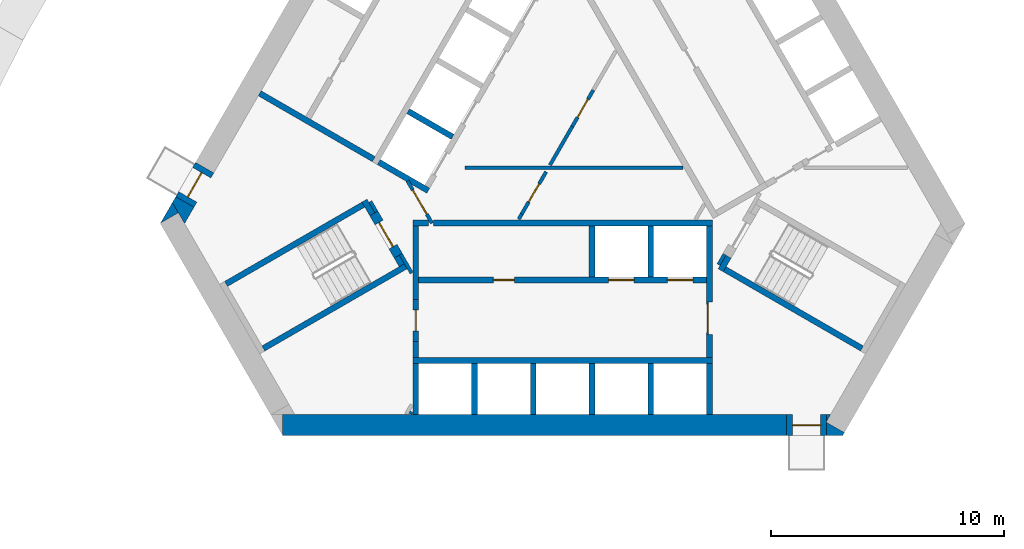
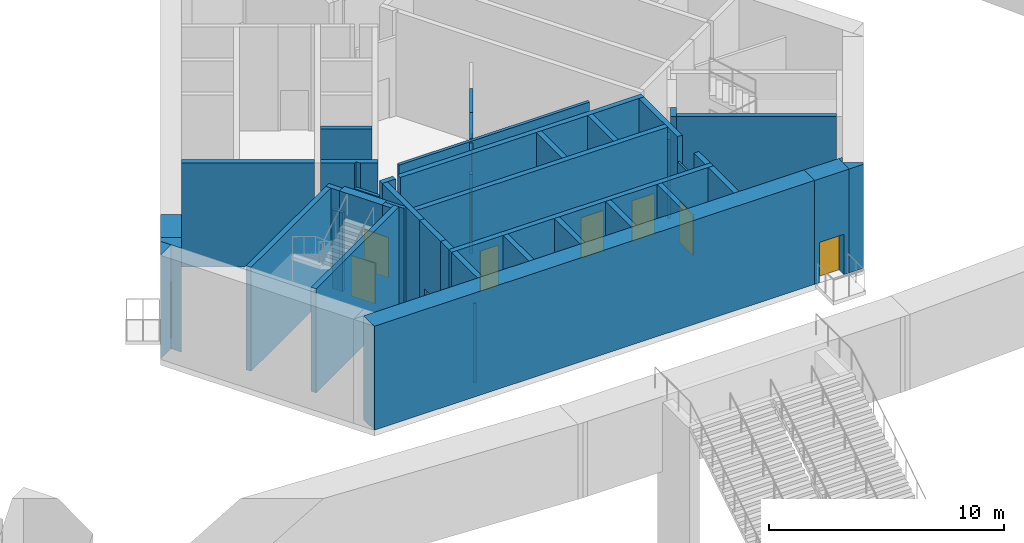
# One storey, part 16 of 37: 45 walls, 11 doors, 11 openings.
"""IFC4 building model written with IfcOpenShell, lengths in metres."""

from ifc_helpers import new_model, si_unit, direction, frame, frame_2d, origin, place, context, subcontext, project, spatial, polyline, rectangle, outline, extrude, material, layer, layer_set, type_object, element, fill, save


model = new_model("IFC4")

# Units and contexts
model_context = context("Model", 3, precision=1e-05, world=origin(), true_north=direction((0.0, 1.0)))
body_context = subcontext(model_context, "Body", "Model", "MODEL_VIEW")
ifc_project = project(units=[si_unit("LENGTHUNIT", "METRE"), si_unit("AREAUNIT", "SQUARE_METRE"), si_unit("VOLUMEUNIT", "CUBIC_METRE"), si_unit("PLANEANGLEUNIT", "RADIAN"), si_unit("MASSUNIT", "GRAM", prefix="KILO")], contexts=[model_context])

# Site, building, storey
site_placement = place(None, origin())
site = spatial("IfcSite", under=ifc_project, at=site_placement, CompositionType="ELEMENT")
building_placement = place(site_placement, origin())
building = spatial("IfcBuilding", under=site, at=building_placement, Name="Mestral Congress Tower", CompositionType="ELEMENT")
storey_placement = place(building_placement, frame((0.0, 0.0, 16.199951171875)))
storey = spatial("IfcBuildingStorey", under=building, at=storey_placement, Name="L03", CompositionType="ELEMENT", Elevation=16.199951171875)

# Walls
ifc_material_1 = material(Name="Fire-rated board partition")
ifc_layer_1 = layer(ifc_material_1, 0.14990234375)
ifc_layer_set_1 = layer_set([ifc_layer_1], Name="Fire-rated board partition")
wall_type_1 = type_object("IfcWallType", Name="Core partition 150", PredefinedType="PARTITIONING", material=ifc_layer_set_1)
wall_1_placement = place(storey_placement, frame((-6.534423828125, -12.068115234375, 0.0), z_axis=(0.0, 0.0, 1.0), x_axis=(0.500240224089, 0.865886665912, 0.0)))
element("IfcWall", 1, at=wall_1_placement, inside=storey, type_object=wall_type_1, Name="L03 core wall", PredefinedType="PARTITIONING", context=body_context, shape_type="SweptSolid", body=[
    extrude(rectangle(XDim=0.10888671875, YDim=0.14990234375, at=frame_2d((0.054443359375, 0.0))), origin(), (0.0, 0.0, 1.0), 4.10009765625),
])
wall_2_placement = place(storey_placement, frame((-1.886962890625, -3.71826171875, 0.0), z_axis=(0.0, 0.0, 1.0), x_axis=(0.500165633897, 0.865929753888, 0.0)))
element("IfcWall", 2, at=wall_2_placement, inside=storey, type_object=wall_type_1, Name="L03 core wall", PredefinedType="PARTITIONING", context=body_context, shape_type="SweptSolid", body=[
    extrude(rectangle(XDim=0.25439453125, YDim=0.14990234375, at=frame_2d((0.127197265625, 0.0))), origin(), (0.0, 0.0, 1.0), 4.10009765625),
])
for number, where, z_axis, x_axis, name in (
    (3, (-8.251953125, -2.958251953125, 0.0), (0.0, 0.0, 1.0), (0.500174715838, -0.865924508047, 0.0), "L03 core wall"),
    (4, (6.94482421875, -5.22216796875, 0.0), (0.0, 0.0, 1.0), (-0.499818422106, -0.866130212453, 0.0), "L03 core wall"),
):
    element("IfcWall", number, at=place(storey_placement, frame(where, z_axis=z_axis, x_axis=x_axis)), inside=storey, type_object=wall_type_1, Name=name, PredefinedType="PARTITIONING", context=body_context, shape_type="SweptSolid", body=[
        extrude(rectangle(XDim=0.513916015625, YDim=0.14990234375, at=frame_2d((0.2568359375, 0.0))), origin(), (0.0, 0.0, 1.0), 4.10009765625),
    ])
wall_3_placement = place(storey_placement, frame((-4.199951171875, -1.5, 0.0), z_axis=(0.0, 0.0, 1.0), x_axis=(1.0, 0.0, 0.0)))
element("IfcWall", 5, at=wall_3_placement, inside=storey, type_object=wall_type_1, Name="L03 core wall", PredefinedType="PARTITIONING", context=body_context, shape_type="SweptSolid", body=[
    extrude(rectangle(XDim=9.359375, YDim=0.14990234375, at=frame_2d((4.6796875, 0.0))), origin(), (0.0, 0.0, 1.0), 4.10009765625),
])
wall_4_placement = place(storey_placement, frame((-0.54443359375, -1.393310546875, 0.0), z_axis=(0.0, 0.0, 1.0), x_axis=(0.499928740635, 0.866066541489, 0.0)))
element("IfcWall", 6, at=wall_4_placement, inside=storey, type_object=wall_type_1, Name="L03 core wall", PredefinedType="PARTITIONING", context=body_context, shape_type="SweptSolid", body=[
    extrude(rectangle(XDim=1.912353515625, YDim=0.14990234375, at=frame_2d((0.9560546875, 0.0))), origin(), (0.0, 0.0, 1.0), 4.10009765625),
])

# Wall, opening, door
wall_5_placement = place(storey_placement, frame((-1.759765625, -3.498046875, 0.0), z_axis=(0.0, 0.0, 1.0), x_axis=(0.499977374825, 0.866038466041, 0.0)))
wall_5 = element("IfcWall", 7, at=wall_5_placement, inside=storey, type_object=wall_type_1, Name="L03 door wall", PredefinedType="PARTITIONING", context=body_context, shape_type="SweptSolid", body=[
    extrude(rectangle(XDim=2.10009765625, YDim=0.14990234375, at=frame_2d((1.050048828125, 0.0))), origin(), (0.0, 0.0, 1.0), 4.10009765625),
])
opening_1_placement = place(wall_5_placement, frame((0.60009765625, 0.0, 0.0)))
opening_1 = element("IfcOpeningElement", 8, at=opening_1_placement, cuts=wall_5, Name="Opening CD1-HUB0", PredefinedType="OPENING", context=body_context, shape_type="SweptSolid", body=[
    extrude(rectangle(XDim=0.89990234375, YDim=2.10009765625, at=frame_2d((0.449951171875, 1.050048828125))), frame((0.0, 0.0849609375, 0.0), z_axis=(0.0, -1.0, 0.0), x_axis=(1.0, 0.0, 0.0)), (0.0, 0.0, 1.0), 0.169921875),
])
ifc_material_2 = material(Name="Fire-rated steel door set", Category="steel")
door_type_1 = type_object("IfcDoorType", Name="Core door CD 900x2100", OperationType="SINGLE_SWING_LEFT", PredefinedType="DOOR", material=ifc_material_2)
door_1_placement = place(opening_1_placement, origin())
door_1 = element("IfcDoor", 9, at=door_1_placement, inside=storey, type_object=door_type_1, Name="Door CD1-HUB0", OperationType="SINGLE_SWING_LEFT", OverallHeight=2.10009765625, OverallWidth=0.89990234375, PredefinedType="DOOR", context=body_context, shape_type="SweptSolid", body=[
    extrude(rectangle(XDim=0.89990234375, YDim=2.10009765625, at=frame_2d((0.449951171875, 1.050048828125))), frame((0.0, 0.02490234375, 0.0), z_axis=(0.0, -1.0, 0.0), x_axis=(1.0, 0.0, 0.0)), (0.0, 0.0, 1.0), 0.050048828125),
])
fill(opening_1, door_1)

wall_6_placement = place(storey_placement, frame((-5.606201171875, -3.8896484375, 0.0), z_axis=(0.0, 0.0, 1.0), x_axis=(-0.500027713859, 0.866009402589, 0.0)))
wall_6 = element("IfcWall", 10, at=wall_6_placement, inside=storey, type_object=wall_type_1, Name="L03 door wall", PredefinedType="PARTITIONING", context=body_context, shape_type="SweptSolid", body=[
    extrude(rectangle(XDim=2.10009765625, YDim=0.14990234375, at=frame_2d((1.050048828125, 0.0))), origin(), (0.0, 0.0, 1.0), 4.10009765625),
])
opening_2_placement = place(wall_6_placement, frame((0.449951171875, 0.0, 0.0)))
opening_2 = element("IfcOpeningElement", 11, at=opening_2_placement, cuts=wall_6, Name="Opening CD3-FF", PredefinedType="OPENING", context=body_context, shape_type="SweptSolid", body=[
    extrude(rectangle(XDim=1.199951171875, YDim=2.10009765625, at=frame_2d((0.60009765625, 1.050048828125))), frame((0.0, 0.0849609375, 0.0), z_axis=(0.0, -1.0, 0.0), x_axis=(1.0, 0.0, 0.0)), (0.0, 0.0, 1.0), 0.169921875),
])
door_type_2 = type_object("IfcDoorType", Name="Core door CD 1200x2100", OperationType="SINGLE_SWING_LEFT", PredefinedType="DOOR", material=ifc_material_2)
door_2_placement = place(opening_2_placement, origin())
door_2 = element("IfcDoor", 12, at=door_2_placement, inside=storey, type_object=door_type_2, Name="Door CD3-FF", OperationType="SINGLE_SWING_LEFT", OverallHeight=2.10009765625, OverallWidth=1.199951171875, PredefinedType="DOOR", context=body_context, shape_type="SweptSolid", body=[
    extrude(rectangle(XDim=1.199951171875, YDim=2.10009765625, at=frame_2d((0.60009765625, 1.050048828125))), frame((0.0, 0.02490234375, 0.0), z_axis=(0.0, -1.0, 0.0), x_axis=(1.0, 0.0, 0.0)), (0.0, 0.0, 1.0), 0.050048828125),
])
fill(opening_2, door_2)

wall_7_placement = place(storey_placement, frame((0.41162109375, 0.26318359375, 0.0), z_axis=(0.0, 0.0, 1.0), x_axis=(0.500062916607, 0.865989075817, 0.0)))
wall_7 = element("IfcWall", 13, at=wall_7_placement, inside=storey, type_object=wall_type_1, Name="L03 door wall", PredefinedType="PARTITIONING", context=body_context, shape_type="SweptSolid", body=[
    extrude(rectangle(XDim=1.800048828125, YDim=0.14990234375, at=frame_2d((0.89990234375, 0.0))), origin(), (0.0, 0.0, 1.0), 4.10009765625),
])
opening_3_placement = place(wall_7_placement, frame((0.449951171875, 0.0, 0.0)))
opening_3 = element("IfcOpeningElement", 14, at=opening_3_placement, cuts=wall_7, Name="Opening SD-HUB1", PredefinedType="OPENING", context=body_context, shape_type="SweptSolid", body=[
    extrude(rectangle(XDim=0.89990234375, YDim=2.10009765625, at=frame_2d((0.449951171875, 1.050048828125))), frame((0.0, 0.0849609375, 0.0), z_axis=(0.0, -1.0, 0.0), x_axis=(1.0, 0.0, 0.0)), (0.0, 0.0, 1.0), 0.169921875),
])
door_type_3 = type_object("IfcDoorType", Name="Core door SR 900x2100", OperationType="SINGLE_SWING_LEFT", PredefinedType="DOOR", material=ifc_material_2)
door_3_placement = place(opening_3_placement, origin())
door_3 = element("IfcDoor", 15, at=door_3_placement, inside=storey, type_object=door_type_3, Name="Door SD-HUB1", OperationType="SINGLE_SWING_LEFT", OverallHeight=2.10009765625, OverallWidth=0.89990234375, PredefinedType="DOOR", context=body_context, shape_type="SweptSolid", body=[
    extrude(rectangle(XDim=0.89990234375, YDim=2.10009765625, at=frame_2d((0.449951171875, 1.050048828125))), frame((0.0, 0.02490234375, 0.0), z_axis=(0.0, -1.0, 0.0), x_axis=(1.0, 0.0, 0.0)), (0.0, 0.0, 1.0), 0.050048828125),
])
fill(opening_3, door_3)

ifc_layer_2 = layer(ifc_material_1, 0.090087890625)
ifc_layer_set_2 = layer_set([ifc_layer_2], Name="Fire-rated board partition")
wall_type_2 = type_object("IfcWallType", Name="Core partition 150 door-wall 90", PredefinedType="PARTITIONING", material=ifc_layer_set_2)
wall_8_placement = place(storey_placement, frame((6.219970703125, -7.266357421875, 0.0), z_axis=(0.0, 0.0, 1.0), x_axis=(0.0, -1.0, 0.0)))
wall_8 = element("IfcWall", 16, at=wall_8_placement, inside=storey, type_object=wall_type_2, Name="L03 door wall", PredefinedType="PARTITIONING", context=body_context, shape_type="SweptSolid", body=[
    extrude(rectangle(XDim=1.400146484375, YDim=0.090087890625, at=frame_2d((0.7001953125, 0.0))), origin(), (0.0, 0.0, 1.0), 4.10009765625),
])
opening_4_placement = place(wall_8_placement, frame((0.10009765625, 0.0, 0.0)))
opening_4 = element("IfcOpeningElement", 17, at=opening_4_placement, cuts=wall_8, Name="Opening LB0-WL1", PredefinedType="OPENING", context=body_context, shape_type="SweptSolid", body=[
    extrude(rectangle(XDim=1.199951171875, YDim=2.10009765625, at=frame_2d((0.60009765625, 1.050048828125))), frame((0.0, 0.054931640625, 0.0), z_axis=(0.0, -1.0, 0.0), x_axis=(1.0, 0.0, 0.0)), (0.0, 0.0, 1.0), 0.110107421875),
])
door_type_4 = type_object("IfcDoorType", Name="Core door LB 1200x2100", OperationType="SINGLE_SWING_LEFT", PredefinedType="DOOR", material=ifc_material_2)
door_4_placement = place(opening_4_placement, origin())
door_4 = element("IfcDoor", 18, at=door_4_placement, inside=storey, type_object=door_type_4, Name="Door LB0-WL1", OperationType="SINGLE_SWING_LEFT", OverallHeight=2.10009765625, OverallWidth=1.199951171875, PredefinedType="DOOR", context=body_context, shape_type="SweptSolid", body=[
    extrude(rectangle(XDim=1.199951171875, YDim=2.10009765625, at=frame_2d((0.60009765625, 1.050048828125))), frame((0.0, 0.02490234375, 0.0), z_axis=(0.0, -1.0, 0.0), x_axis=(1.0, 0.0, 0.0)), (0.0, 0.0, 1.0), 0.050048828125),
])
fill(opening_4, door_4)

# Walls
ifc_material_3 = material(Name="Concrete C60/75", Category="concrete")
ifc_layer_3 = layer(ifc_material_3, 0.89990234375)
ifc_layer_set_3 = layer_set([ifc_layer_3], Name="Concrete C60/75")
wall_type_3 = type_object("IfcWallType", Name="Core wall RC 900", PredefinedType="SOLIDWALL", material=ifc_layer_set_3)
placement = place(storey_placement, origin())
element("IfcWall", 19, at=placement, inside=storey, type_object=wall_type_3, Name="L03 core wall", PredefinedType="SOLIDWALL", context=body_context, shape_type="SweptSolid", body=[
    extrude(outline(polyline([(12.0087890625, -13.0), (11.31201171875, -13.0), (11.31201171875, -12.425048828125), (12.08349609375, -12.87060546875), (12.0087890625, -13.0)])), origin(), (0.0, 0.0, 1.0), 5.400146484375),
])
element("IfcWall", 20, at=placement, inside=storey, type_object=wall_type_3, Name="L03 core wall", PredefinedType="SOLIDWALL", context=body_context, shape_type="SweptSolid", body=[
    extrude(outline(polyline([(11.4892578125, -12.10009765625), (11.31201171875, -12.4072265625), (11.31201171875, -12.10009765625), (11.4892578125, -12.10009765625)])), origin(), (0.0, 0.0, 1.0), 5.400146484375),
])
wall_11_placement = place(storey_placement, frame((-12.0185546875, -12.550048828125, 0.0), z_axis=(0.0, 0.0, 1.0), x_axis=(1.0, 0.0, 0.0)))
element("IfcWall", 21, at=wall_11_placement, inside=storey, type_object=wall_type_3, Name="L03 core wall", PredefinedType="SOLIDWALL", context=body_context, shape_type="SweptSolid", body=[
    extrude(rectangle(XDim=21.63037109375, YDim=0.89990234375, at=frame_2d((10.815185546875, 0.0))), origin(), (0.0, 0.0, 1.0), 5.400146484375),
])
element("IfcWall", 22, at=placement, inside=storey, type_object=wall_type_3, Name="L03 core wall", PredefinedType="SOLIDWALL", context=body_context, shape_type="SweptSolid", body=[
    extrude(outline(polyline([(-16.4892578125, -3.43994140625), (-17.251220703125, -3.8798828125), (-16.7431640625, -3.0), (-16.4892578125, -3.43994140625)])), origin(), (0.0, 0.0, 1.0), 5.400146484375),
])
element("IfcWall", 23, at=placement, inside=storey, type_object=wall_type_3, Name="L03 core wall", PredefinedType="SOLIDWALL", context=body_context, shape_type="SweptSolid", body=[
    extrude(outline(polyline([(-15.81982421875, -3.20068359375), (-16.223388671875, -3.89990234375), (-16.7431640625, -3.0), (-16.599365234375, -2.750732421875), (-15.81982421875, -3.20068359375)])), origin(), (0.0, 0.0, 1.0), 5.400146484375),
])

# Wall, opening, door
wall_14_placement = place(storey_placement, frame((11.311767578125, -12.550048828125, 0.0), z_axis=(0.0, 0.0, 1.0), x_axis=(-1.0, 0.0, 0.0)))
wall_14 = element("IfcWall", 24, at=wall_14_placement, inside=storey, type_object=wall_type_3, Name="L03 door wall", PredefinedType="SOLIDWALL", context=body_context, shape_type="SweptSolid", body=[
    extrude(rectangle(XDim=1.699951171875, YDim=0.89990234375, at=frame_2d((0.85009765625, 0.0))), origin(), (0.0, 0.0, 1.0), 5.400146484375),
])
opening_5_placement = place(wall_14_placement, frame((0.25, 0.0, 0.0)))
opening_5 = element("IfcOpeningElement", 25, at=opening_5_placement, cuts=wall_14, Name="Opening XD1", PredefinedType="OPENING", context=body_context, shape_type="SweptSolid", body=[
    extrude(rectangle(XDim=1.199951171875, YDim=2.10009765625, at=frame_2d((0.60009765625, 1.050048828125))), frame((0.0, 0.4599609375, 0.0), z_axis=(0.0, -1.0, 0.0), x_axis=(1.0, 0.0, 0.0)), (0.0, 0.0, 1.0), 0.919921875),
])
door_type_5 = type_object("IfcDoorType", Name="Core door XD 1200x2100", OperationType="SINGLE_SWING_LEFT", PredefinedType="DOOR", material=ifc_material_2)
door_5_placement = place(opening_5_placement, origin())
door_5 = element("IfcDoor", 26, at=door_5_placement, inside=storey, type_object=door_type_5, Name="Door XD1", OperationType="SINGLE_SWING_LEFT", OverallHeight=2.10009765625, OverallWidth=1.199951171875, PredefinedType="DOOR", context=body_context, shape_type="SweptSolid", body=[
    extrude(rectangle(XDim=1.199951171875, YDim=2.10009765625, at=frame_2d((0.60009765625, 1.050048828125))), frame((0.0, 0.02490234375, 0.0), z_axis=(0.0, -1.0, 0.0), x_axis=(1.0, 0.0, 0.0)), (0.0, 0.0, 1.0), 0.050048828125),
])
fill(opening_5, door_5)

wall_15_placement = place(storey_placement, frame((-16.20947265625, -2.9755859375, 0.0), z_axis=(0.0, 0.0, 1.0), x_axis=(0.499954529098, 0.86605165483, 0.0)))
wall_15 = element("IfcWall", 27, at=wall_15_placement, inside=storey, type_object=wall_type_3, Name="L03 door wall", PredefinedType="SOLIDWALL", context=body_context, shape_type="SweptSolid", body=[
    extrude(rectangle(XDim=1.699951171875, YDim=0.89990234375, at=frame_2d((0.85009765625, 0.0))), origin(), (0.0, 0.0, 1.0), 5.400146484375),
])
opening_6_placement = place(wall_15_placement, frame((0.25, 0.0, 0.0)))
opening_6 = element("IfcOpeningElement", 28, at=opening_6_placement, cuts=wall_15, Name="Opening XD3", PredefinedType="OPENING", context=body_context, shape_type="SweptSolid", body=[
    extrude(rectangle(XDim=1.199951171875, YDim=2.10009765625, at=frame_2d((0.60009765625, 1.050048828125))), frame((0.0, 0.4599609375, 0.0), z_axis=(0.0, -1.0, 0.0), x_axis=(1.0, 0.0, 0.0)), (0.0, 0.0, 1.0), 0.919921875),
])
door_6_placement = place(opening_6_placement, origin())
door_6 = element("IfcDoor", 29, at=door_6_placement, inside=storey, type_object=door_type_5, Name="Door XD3", OperationType="SINGLE_SWING_LEFT", OverallHeight=2.10009765625, OverallWidth=1.199951171875, PredefinedType="DOOR", context=body_context, shape_type="SweptSolid", body=[
    extrude(rectangle(XDim=1.199951171875, YDim=2.10009765625, at=frame_2d((0.60009765625, 1.050048828125))), frame((0.0, 0.02490234375, 0.0), z_axis=(0.0, -1.0, 0.0), x_axis=(1.0, 0.0, 0.0)), (0.0, 0.0, 1.0), 0.050048828125),
])
fill(opening_6, door_6)

# Walls
ifc_layer_4 = layer(ifc_material_3, 0.25)
ifc_layer_set_4 = layer_set([ifc_layer_4], Name="Concrete C60/75")
wall_type_4 = type_object("IfcWallType", Name="Shaft wall RC 250", PredefinedType="SOLIDWALL", material=ifc_layer_set_4)
wall_16_placement = place(storey_placement, frame((-6.425048828125, -9.77490234375, 0.0), z_axis=(0.0, 0.0, 1.0), x_axis=(1.0, 0.0, 0.0)))
element("IfcWall", 30, at=wall_16_placement, inside=storey, type_object=wall_type_4, Name="L03 core wall", PredefinedType="SOLIDWALL", context=body_context, shape_type="SweptSolid", body=[
    extrude(rectangle(XDim=12.85009765625, YDim=0.25, at=frame_2d((6.425048828125, 0.0))), origin(), (0.0, 0.0, 1.0), 5.400146484375),
])
wall_17_placement = place(storey_placement, frame((-6.300048828125, -9.89990234375, 0.0), z_axis=(0.0, 0.0, 1.0), x_axis=(0.0, -1.0, 0.0)))
element("IfcWall", 31, at=wall_17_placement, inside=storey, type_object=wall_type_4, Name="L03 core wall", PredefinedType="SOLIDWALL", context=body_context, shape_type="SweptSolid", body=[
    extrude(rectangle(XDim=2.2001953125, YDim=0.25, at=frame_2d((1.10009765625, 0.0))), origin(), (0.0, 0.0, 1.0), 5.400146484375),
])
wall_18_placement = place(storey_placement, frame((-6.300048828125, -9.64990234375, 0.0), z_axis=(0.0, 0.0, 1.0), x_axis=(0.0, 1.0, 0.0)))
element("IfcWall", 32, at=wall_18_placement, inside=storey, type_object=wall_type_4, Name="L03 core wall", PredefinedType="SOLIDWALL", context=body_context, shape_type="SweptSolid", body=[
    extrude(rectangle(XDim=0.6953125, YDim=0.25, at=frame_2d((0.34765625, 0.0))), origin(), (0.0, 0.0, 1.0), 5.400146484375),
])
wall_19_placement = place(storey_placement, frame((-5.544921875, -3.875, 0.0), z_axis=(0.0, 0.0, 1.0), x_axis=(1.0, 0.0, 0.0)))
element("IfcWall", 33, at=wall_19_placement, inside=storey, type_object=wall_type_4, Name="L03 core wall", PredefinedType="SOLIDWALL", context=body_context, shape_type="SweptSolid", body=[
    extrude(rectangle(XDim=11.969970703125, YDim=0.25, at=frame_2d((5.98486328125, 0.0))), origin(), (0.0, 0.0, 1.0), 5.400146484375),
])
wall_20_placement = place(storey_placement, frame((-6.425048828125, -3.875, 0.0), z_axis=(0.0, 0.0, 1.0), x_axis=(1.0, 0.0, 0.0)))
element("IfcWall", 34, at=wall_20_placement, inside=storey, type_object=wall_type_4, Name="L03 core wall", PredefinedType="SOLIDWALL", context=body_context, shape_type="SweptSolid", body=[
    extrude(rectangle(XDim=0.657958984375, YDim=0.25, at=frame_2d((0.3291015625, 0.0))), origin(), (0.0, 0.0, 1.0), 5.400146484375),
])
wall_21_placement = place(storey_placement, frame((6.300048828125, -7.27001953125, 0.0), z_axis=(0.0, 0.0, 1.0), x_axis=(0.0, 1.0, 0.0)))
element("IfcWall", 35, at=wall_21_placement, inside=storey, type_object=wall_type_4, Name="L03 core wall", PredefinedType="SOLIDWALL", context=body_context, shape_type="SweptSolid", body=[
    extrude(rectangle(XDim=3.27001953125, YDim=0.25, at=frame_2d((1.635009765625, 0.0))), origin(), (0.0, 0.0, 1.0), 5.400146484375),
])
wall_22_placement = place(storey_placement, frame((6.300048828125, -8.672119140625, 0.0), z_axis=(0.0, 0.0, 1.0), x_axis=(0.0, -1.0, 0.0)))
element("IfcWall", 36, at=wall_22_placement, inside=storey, type_object=wall_type_4, Name="L03 core wall", PredefinedType="SOLIDWALL", context=body_context, shape_type="SweptSolid", body=[
    extrude(rectangle(XDim=0.977783203125, YDim=0.25, at=frame_2d((0.48876953125, 0.0))), origin(), (0.0, 0.0, 1.0), 5.400146484375),
])
for number, where, z_axis, x_axis, name in (
    (37, (3.780029296875, -4.0, 0.0), (0.0, 0.0, 1.0), (0.0, -1.0, 0.0), "L03 core wall"),
    (38, (1.260009765625, -4.0, 0.0), (0.0, 0.0, 1.0), (0.0, -1.0, 0.0), "L03 core wall"),
):
    element("IfcWall", number, at=place(storey_placement, frame(where, z_axis=z_axis, x_axis=x_axis)), inside=storey, type_object=wall_type_4, Name=name, PredefinedType="SOLIDWALL", context=body_context, shape_type="SweptSolid", body=[
        extrude(rectangle(XDim=2.199951171875, YDim=0.25, at=frame_2d((1.10009765625, 0.0))), origin(), (0.0, 0.0, 1.0), 5.400146484375),
    ])
wall_23_placement = place(storey_placement, frame((-6.300048828125, -4.0, 0.0), z_axis=(0.0, 0.0, 1.0), x_axis=(0.0, -1.0, 0.0)))
element("IfcWall", 39, at=wall_23_placement, inside=storey, type_object=wall_type_4, Name="L03 core wall", PredefinedType="SOLIDWALL", context=body_context, shape_type="SweptSolid", body=[
    extrude(rectangle(XDim=3.154296875, YDim=0.25, at=frame_2d((1.5771484375, 0.0))), origin(), (0.0, 0.0, 1.0), 5.400146484375),
])
for number, where, z_axis, x_axis, name in (
    (40, (6.300048828125, -9.89990234375, 0.0), (0.0, 0.0, 1.0), (0.0, -1.0, 0.0), "L03 core wall"),
    (41, (3.780029296875, -9.89990234375, 0.0), (0.0, 0.0, 1.0), (0.0, -1.0, 0.0), "L03 core wall"),
    (42, (1.260009765625, -9.89990234375, 0.0), (0.0, 0.0, 1.0), (0.0, -1.0, 0.0), "L03 core wall"),
    (43, (-1.260009765625, -9.89990234375, 0.0), (0.0, 0.0, 1.0), (0.0, -1.0, 0.0), "L03 core wall"),
    (44, (-3.780029296875, -9.89990234375, 0.0), (0.0, 0.0, 1.0), (0.0, -1.0, 0.0), "L03 core wall"),
):
    element("IfcWall", number, at=place(storey_placement, frame(where, z_axis=z_axis, x_axis=x_axis)), inside=storey, type_object=wall_type_4, Name=name, PredefinedType="SOLIDWALL", context=body_context, shape_type="SweptSolid", body=[
        extrude(rectangle(XDim=2.2001953125, YDim=0.25, at=frame_2d((1.10009765625, 0.0))), origin(), (0.0, 0.0, 1.0), 5.400146484375),
    ])
wall_24_placement = place(storey_placement, frame((-4.72412109375, -0.182373046875, 0.0), z_axis=(0.0, 0.0, 1.0), x_axis=(-0.866008176907, 0.50002983664, 0.0)))
element("IfcWall", 45, at=wall_24_placement, inside=storey, type_object=wall_type_4, Name="L03 core wall", PredefinedType="SOLIDWALL", context=body_context, shape_type="SweptSolid", body=[
    extrude(rectangle(XDim=2.199951171875, YDim=0.25, at=frame_2d((1.10009765625, 0.0))), origin(), (0.0, 0.0, 1.0), 5.400146484375),
])
element("IfcWall", 46, at=placement, inside=storey, type_object=wall_type_4, Name="L03 core wall", PredefinedType="SOLIDWALL", context=body_context, shape_type="SweptSolid", body=[
    extrude(outline(polyline([(-5.921630859375, -2.256591796875), (-5.921630859375, -2.256591796875), (-5.705078125, -2.381591796875), (-5.830078125, -2.597900390625), (-6.48291015625, -2.22119140625), (-6.59130859375, -2.033447265625), (-6.59130859375, -2.033447265625), (-6.69970703125, -2.095947265625), (-7.951904296875, -1.373046875), (-7.826904296875, -1.156494140625), (-5.921630859375, -2.256591796875)])), origin(), (0.0, 0.0, 1.0), 5.400146484375),
])
wall_26_placement = place(storey_placement, frame((-8.10595703125, -1.139892578125, 0.0), z_axis=(0.0, 0.0, 1.0), x_axis=(-0.866000643155, 0.500042884217, 0.0)))
element("IfcWall", 47, at=wall_26_placement, inside=storey, type_object=wall_type_4, Name="L03 core wall", PredefinedType="SOLIDWALL", context=body_context, shape_type="SweptSolid", body=[
    extrude(rectangle(XDim=5.64990234375, YDim=0.25, at=frame_2d((2.824951171875, 0.0))), origin(), (0.0, 0.0, 1.0), 5.400146484375),
])

# Wall, openings, doors
wall_27_placement = place(storey_placement, frame((-6.175048828125, -6.324951171875, 0.0), z_axis=(0.0, 0.0, 1.0), x_axis=(1.0, 0.0, 0.0)))
wall_27 = element("IfcWall", 48, at=wall_27_placement, inside=storey, type_object=wall_type_4, Name="L03 door wall", PredefinedType="SOLIDWALL", context=body_context, shape_type="SweptSolid", body=[
    extrude(rectangle(XDim=12.35009765625, YDim=0.25, at=frame_2d((6.175048828125, 0.0))), origin(), (0.0, 0.0, 1.0), 5.400146484375),
])
opening_7_placement = place(wall_27_placement, frame((3.205078125, 0.0, 0.0)))
opening_7 = element("IfcOpeningElement", 49, at=opening_7_placement, cuts=wall_27, Name="Opening SR-SOB1", PredefinedType="OPENING", context=body_context, shape_type="SweptSolid", body=[
    extrude(rectangle(XDim=0.89990234375, YDim=2.10009765625, at=frame_2d((0.449951171875, 1.050048828125))), frame((0.0, 0.135009765625, 0.0), z_axis=(0.0, -1.0, 0.0), x_axis=(1.0, 0.0, 0.0)), (0.0, 0.0, 1.0), 0.27001953125),
])
opening_8_placement = place(wall_27_placement, frame((8.14501953125, 0.0, 0.0)))
opening_8 = element("IfcOpeningElement", 50, at=opening_8_placement, cuts=wall_27, Name="Opening LD-SOB4", PredefinedType="OPENING", context=body_context, shape_type="SweptSolid", body=[
    extrude(rectangle(XDim=1.10009765625, YDim=2.10009765625, at=frame_2d((0.550048828125, 1.050048828125))), frame((0.0, 0.135009765625, 0.0), z_axis=(0.0, -1.0, 0.0), x_axis=(1.0, 0.0, 0.0)), (0.0, 0.0, 1.0), 0.27001953125),
])
opening_9_placement = place(wall_27_placement, frame((10.6650390625, 0.0, 0.0)))
opening_9 = element("IfcOpeningElement", 51, at=opening_9_placement, cuts=wall_27, Name="Opening LD-SOB5", PredefinedType="OPENING", context=body_context, shape_type="SweptSolid", body=[
    extrude(rectangle(XDim=1.10009765625, YDim=2.10009765625, at=frame_2d((0.550048828125, 1.050048828125))), frame((0.0, 0.135009765625, 0.0), z_axis=(0.0, -1.0, 0.0), x_axis=(1.0, 0.0, 0.0)), (0.0, 0.0, 1.0), 0.27001953125),
])
door_type_6 = type_object("IfcDoorType", Name="Core door LD 1100x2100", OperationType="DOUBLE_DOOR_SLIDING", PredefinedType="DOOR", material=ifc_material_2)
door_7_placement = place(opening_8_placement, origin())
door_7 = element("IfcDoor", 52, at=door_7_placement, inside=storey, type_object=door_type_6, Name="Door LD-SOB4", OperationType="DOUBLE_DOOR_SLIDING", OverallHeight=2.10009765625, OverallWidth=1.10009765625, PredefinedType="DOOR", context=body_context, shape_type="SweptSolid", body=[
    extrude(rectangle(XDim=1.10009765625, YDim=2.10009765625, at=frame_2d((0.550048828125, 1.050048828125))), frame((0.0, 0.02490234375, 0.0), z_axis=(0.0, -1.0, 0.0), x_axis=(1.0, 0.0, 0.0)), (0.0, 0.0, 1.0), 0.050048828125),
])
fill(opening_8, door_7)
door_8_placement = place(opening_9_placement, origin())
door_8 = element("IfcDoor", 53, at=door_8_placement, inside=storey, type_object=door_type_6, Name="Door LD-SOB5", OperationType="DOUBLE_DOOR_SLIDING", OverallHeight=2.10009765625, OverallWidth=1.10009765625, PredefinedType="DOOR", context=body_context, shape_type="SweptSolid", body=[
    extrude(rectangle(XDim=1.10009765625, YDim=2.10009765625, at=frame_2d((0.550048828125, 1.050048828125))), frame((0.0, 0.02490234375, 0.0), z_axis=(0.0, -1.0, 0.0), x_axis=(1.0, 0.0, 0.0)), (0.0, 0.0, 1.0), 0.050048828125),
])
fill(opening_9, door_8)
door_9_placement = place(opening_7_placement, origin())
door_9 = element("IfcDoor", 54, at=door_9_placement, inside=storey, type_object=door_type_3, Name="Door SR-SOB1", OperationType="SINGLE_SWING_LEFT", OverallHeight=2.10009765625, OverallWidth=0.89990234375, PredefinedType="DOOR", context=body_context, shape_type="SweptSolid", body=[
    extrude(rectangle(XDim=0.89990234375, YDim=2.10009765625, at=frame_2d((0.449951171875, 1.050048828125))), frame((0.0, 0.02490234375, 0.0), z_axis=(0.0, -1.0, 0.0), x_axis=(1.0, 0.0, 0.0)), (0.0, 0.0, 1.0), 0.050048828125),
])
fill(opening_7, door_9)

# Wall, opening, door
wall_28_placement = place(storey_placement, frame((-6.300048828125, -7.154296875, 0.0), z_axis=(0.0, 0.0, 1.0), x_axis=(0.0, -1.0, 0.0)))
wall_28 = element("IfcWall", 55, at=wall_28_placement, inside=storey, type_object=wall_type_4, Name="L03 door wall", PredefinedType="SOLIDWALL", context=body_context, shape_type="SweptSolid", body=[
    extrude(rectangle(XDim=1.800048828125, YDim=0.25, at=frame_2d((0.89990234375, 0.0))), origin(), (0.0, 0.0, 1.0), 5.400146484375),
])
opening_10_placement = place(wall_28_placement, frame((0.449951171875, 0.0, 0.0)))
opening_10 = element("IfcOpeningElement", 56, at=opening_10_placement, cuts=wall_28, Name="Opening TD3", PredefinedType="OPENING", context=body_context, shape_type="SweptSolid", body=[
    extrude(rectangle(XDim=0.89990234375, YDim=2.10009765625, at=frame_2d((0.449951171875, 1.050048828125))), frame((0.0, 0.135009765625, 0.0), z_axis=(0.0, -1.0, 0.0), x_axis=(1.0, 0.0, 0.0)), (0.0, 0.0, 1.0), 0.27001953125),
])
door_10_placement = place(opening_10_placement, origin())
door_10 = element("IfcDoor", 57, at=door_10_placement, inside=storey, type_object=door_type_3, Name="Door TD3", OperationType="SINGLE_SWING_LEFT", OverallHeight=2.10009765625, OverallWidth=0.89990234375, PredefinedType="DOOR", context=body_context, shape_type="SweptSolid", body=[
    extrude(rectangle(XDim=0.89990234375, YDim=2.10009765625, at=frame_2d((0.449951171875, 1.050048828125))), frame((0.0, 0.02490234375, 0.0), z_axis=(0.0, -1.0, 0.0), x_axis=(1.0, 0.0, 0.0)), (0.0, 0.0, 1.0), 0.050048828125),
])
fill(opening_10, door_10)

# Walls
ifc_layer_5 = layer(ifc_material_3, 0.14990234375)
ifc_layer_set_5 = layer_set([ifc_layer_5], Name="Concrete C60/75")
wall_type_5 = type_object("IfcWallType", Name="Shaft wall RC 250 door-wall 150", PredefinedType="SOLIDWALL", material=ifc_layer_set_5)
wall_29_placement = place(storey_placement, frame((-6.48046875, -6.026611328125, 0.0), z_axis=(0.0, 0.0, 1.0), x_axis=(-0.499927229454, 0.866067413802, 0.0)))
element("IfcWall", 58, at=wall_29_placement, inside=storey, type_object=wall_type_5, Name="L03 core wall", PredefinedType="PARTITIONING", context=body_context, shape_type="SweptSolid", body=[
    extrude(rectangle(XDim=0.928955078125, YDim=0.14990234375, at=frame_2d((0.46435546875, 0.0))), origin(), (0.0, 0.0, 1.0), 5.400146484375),
])
ifc_layer_6 = layer(ifc_material_3, 0.25)
ifc_layer_set_6 = layer_set([ifc_layer_6], Name="Concrete C60/75")
wall_type_6 = type_object("IfcWallType", Name="Stair wall RC 250", PredefinedType="SOLIDWALL", material=ifc_layer_set_6)
wall_30_placement = place(storey_placement, frame((12.83984375, -9.2607421875, 0.0), z_axis=(0.0, 0.0, 1.0), x_axis=(-0.866013990052, 0.500019768644, 0.0)))
element("IfcWall", 59, at=wall_30_placement, inside=storey, type_object=wall_type_6, Name="L03 core wall", PredefinedType="SOLIDWALL", context=body_context, shape_type="SweptSolid", body=[
    extrude(rectangle(XDim=6.800048828125, YDim=0.25, at=frame_2d((3.39990234375, 0.0))), origin(), (0.0, 0.0, 1.0), 5.400146484375),
])
wall_31_placement = place(storey_placement, frame((6.780029296875, -5.906494140625, 0.0), z_axis=(0.0, 0.0, 1.0), x_axis=(0.500223362819, 0.865896406789, 0.0)))
element("IfcWall", 60, at=wall_31_placement, inside=storey, type_object=wall_type_6, Name="L03 core wall", PredefinedType="SOLIDWALL", context=body_context, shape_type="SweptSolid", body=[
    extrude(rectangle(XDim=0.675048828125, YDim=0.25, at=frame_2d((0.33740234375, 0.0))), origin(), (0.0, 0.0, 1.0), 5.400146484375),
])
wall_32_placement = place(storey_placement, frame((-14.43994140625, -6.489501953125, 0.0), z_axis=(0.0, 0.0, 1.0), x_axis=(0.866022966069, 0.500004222222, 0.0)))
element("IfcWall", 61, at=wall_32_placement, inside=storey, type_object=wall_type_6, Name="L03 core wall", PredefinedType="SOLIDWALL", context=body_context, shape_type="SweptSolid", body=[
    extrude(rectangle(XDim=6.80029296875, YDim=0.25, at=frame_2d((3.400146484375, 0.0))), origin(), (0.0, 0.0, 1.0), 5.400146484375),
])
wall_33_placement = place(storey_placement, frame((-8.167724609375, -3.503173828125, 0.0), z_axis=(0.0, 0.0, 1.0), x_axis=(-0.499952099219, 0.866053057547, 0.0)))
element("IfcWall", 62, at=wall_33_placement, inside=storey, type_object=wall_type_6, Name="L03 core wall", PredefinedType="SOLIDWALL", context=body_context, shape_type="SweptSolid", body=[
    extrude(rectangle(XDim=0.6748046875, YDim=0.25, at=frame_2d((0.33740234375, 0.0))), origin(), (0.0, 0.0, 1.0), 5.400146484375),
])
wall_34_placement = place(storey_placement, frame((-12.83984375, -9.2607421875, 0.0), z_axis=(0.0, 0.0, 1.0), x_axis=(0.866016039709, 0.500016218704, 0.0)))
element("IfcWall", 63, at=wall_34_placement, inside=storey, type_object=wall_type_6, Name="L03 core wall", PredefinedType="SOLIDWALL", context=body_context, shape_type="SweptSolid", body=[
    extrude(rectangle(XDim=7.050048828125, YDim=0.25, at=frame_2d((3.52490234375, 0.0))), origin(), (0.0, 0.0, 1.0), 5.400146484375),
])
wall_35_placement = place(storey_placement, frame((-6.905029296875, -5.68994140625, 0.0), z_axis=(0.0, 0.0, 1.0), x_axis=(-0.500402024738, 0.865793170242, 0.0)))
element("IfcWall", 64, at=wall_35_placement, inside=storey, type_object=wall_type_6, Name="L03 core wall", PredefinedType="SOLIDWALL", context=body_context, shape_type="SweptSolid", body=[
    extrude(rectangle(XDim=0.425048828125, YDim=0.25, at=frame_2d((0.21240234375, 0.0))), origin(), (0.0, 0.0, 1.0), 5.400146484375),
])

# Wall, opening, door
ifc_layer_7 = layer(ifc_material_3, 0.39990234375)
ifc_layer_set_7 = layer_set([ifc_layer_7], Name="Concrete C60/75")
wall_type_7 = type_object("IfcWallType", Name="Stair wall RC 250 door-wall 400", PredefinedType="SOLIDWALL", material=ifc_layer_set_7)
wall_36_placement = place(storey_placement, frame((-8.102783203125, -3.4658203125, 0.0), z_axis=(0.0, 0.0, 1.0), x_axis=(0.500078061341, -0.865980330357, 0.0)))
wall_36 = element("IfcWall", 65, at=wall_36_placement, inside=storey, type_object=wall_type_7, Name="L03 door wall", PredefinedType="SOLIDWALL", context=body_context, shape_type="SweptSolid", body=[
    extrude(rectangle(XDim=2.099853515625, YDim=0.39990234375, at=frame_2d((1.0498046875, 0.0))), origin(), (0.0, 0.0, 1.0), 5.400146484375),
])
opening_11_placement = place(wall_36_placement, frame((0.449951171875, 0.0, 0.0)))
opening_11 = element("IfcOpeningElement", 66, at=opening_11_placement, cuts=wall_36, Name="Opening ST-D3", PredefinedType="OPENING", context=body_context, shape_type="SweptSolid", body=[
    extrude(rectangle(XDim=1.199951171875, YDim=2.10009765625, at=frame_2d((0.60009765625, 1.050048828125))), frame((0.0, 0.2099609375, 0.0), z_axis=(0.0, -1.0, 0.0), x_axis=(1.0, 0.0, 0.0)), (0.0, 0.0, 1.0), 0.419921875),
])
door_type_7 = type_object("IfcDoorType", Name="Core door ST 1200x2100", OperationType="SINGLE_SWING_LEFT", PredefinedType="DOOR", material=ifc_material_2)
door_11_placement = place(opening_11_placement, origin())
door_11 = element("IfcDoor", 67, at=door_11_placement, inside=storey, type_object=door_type_7, Name="Door ST-D3", OperationType="SINGLE_SWING_LEFT", OverallHeight=2.10009765625, OverallWidth=1.199951171875, PredefinedType="DOOR", context=body_context, shape_type="SweptSolid", body=[
    extrude(rectangle(XDim=1.199951171875, YDim=2.10009765625, at=frame_2d((0.60009765625, 1.050048828125))), frame((0.0, 0.02490234375, 0.0), z_axis=(0.0, -1.0, 0.0), x_axis=(1.0, 0.0, 0.0)), (0.0, 0.0, 1.0), 0.050048828125),
])
fill(opening_11, door_11)

save(model, "model.ifc")
